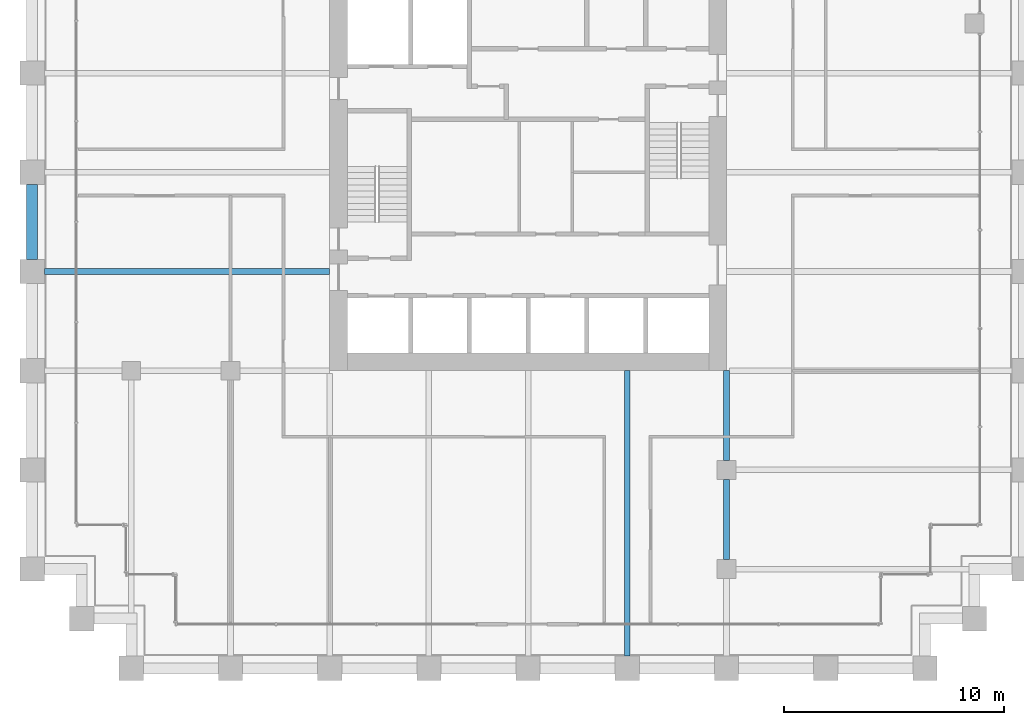
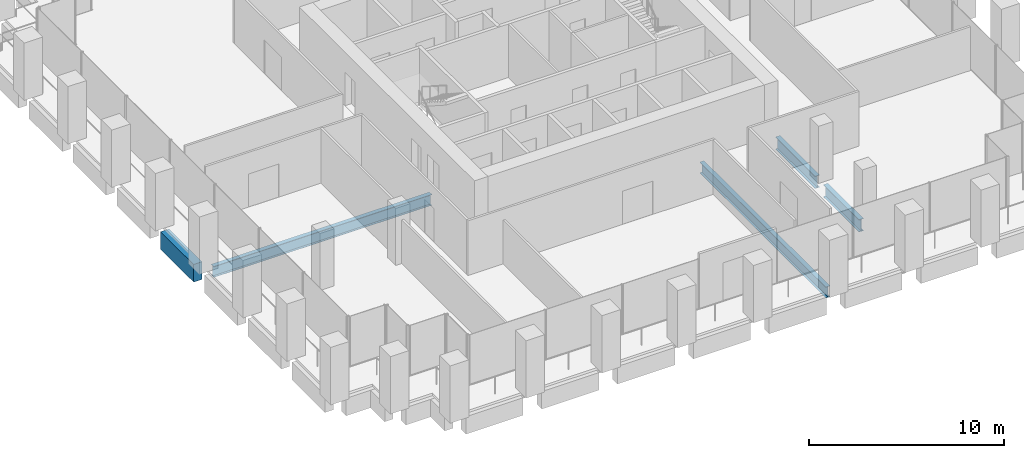
# One storey, part 10 of 54: 5 beams.
"""IFC4 building model written with IfcOpenShell, lengths in metres."""

from ifc_helpers import new_model, si_unit, direction, frame, origin, origin_2d, place, context, subcontext, project, spatial, rectangle, i_section, extrude, material, material_profile, profile_set, type_object, element, save


model = new_model("IFC4")

# Units and contexts
model_context = context("Model", 3, precision=1e-05, world=origin(), true_north=direction((0.0, 1.0)))
body_context = subcontext(model_context, "Body", "Model", "MODEL_VIEW")
ifc_project = project(units=[si_unit("LENGTHUNIT", "METRE"), si_unit("AREAUNIT", "SQUARE_METRE"), si_unit("VOLUMEUNIT", "CUBIC_METRE"), si_unit("PLANEANGLEUNIT", "RADIAN"), si_unit("MASSUNIT", "GRAM", prefix="KILO")], contexts=[model_context])

# Site, building, storey
site_placement = place(None, origin())
site = spatial("IfcSite", under=ifc_project, at=site_placement, CompositionType="ELEMENT")
building_placement = place(site_placement, origin())
building = spatial("IfcBuilding", under=site, at=building_placement, Name="Altepetl Exchange Towers", CompositionType="ELEMENT")
storey_placement = place(building_placement, frame((0.0, 0.0, 65.39990234375)))
storey = spatial("IfcBuildingStorey", under=building, at=storey_placement, Name="L15", CompositionType="ELEMENT", Elevation=65.39990234375)

# Beams
ifc_material_1 = material(Name="Steel S355", Category="steel")
ifc_material_profile_1 = material_profile(ifc_material_1, i_section(OverallWidth=0.25390625, OverallDepth=0.68408203125, WebThickness=0.012451171875, FlangeThickness=0.018798828125, at=origin_2d()), Name="W27X94")
ifc_profile_set_1 = profile_set([ifc_material_profile_1], Name="Steel S355")
beam_type_1 = type_object("IfcBeamType", Name="Floor beam W27X94", PredefinedType="BEAM", material=ifc_profile_set_1)
for number, where, z_axis, x_axis, name in (
    (1, (54.0, 27.550048828125, -0.491943359375), (0.0, 1.0, 0.0), (-1.0, 0.0, 0.0), "bm:A:L15:017"),
    (2, (27.550048828125, 45.0, -0.491943359375), (1.0, 0.0, 0.0), (0.0, 1.0, 0.0), "bm:A:L15:018"),
):
    element("IfcBeam", number, at=place(storey_placement, frame(where, z_axis=z_axis, x_axis=x_axis)), inside=storey, type_object=beam_type_1, Name=name, PredefinedType="BEAM", context=body_context, shape_type="SweptSolid", body=[
        extrude(i_section(OverallWidth=0.25390625, OverallDepth=0.68408203125, WebThickness=0.012451171875, FlangeThickness=0.018798828125, at=origin_2d()), origin(), (0.0, 0.0, 1.0), 12.949951171875),
    ])
ifc_material_profile_2 = material_profile(ifc_material_1, i_section(OverallWidth=0.26806640625, OverallDepth=0.77392578125, WebThickness=0.015380859375, FlangeThickness=0.025390625, at=origin_2d()), Name="W30X132")
ifc_profile_set_2 = profile_set([ifc_material_profile_2], Name="Steel S355")
beam_type_2 = type_object("IfcBeamType", Name="Girder W30X132", PredefinedType="BEAM", material=ifc_profile_set_2)
beam_1_placement = place(storey_placement, frame((58.5, 40.5, -0.536865234375), z_axis=(0.0, -1.0, 0.0), x_axis=(1.0, 0.0, 0.0)))
element("IfcBeam", 3, at=beam_1_placement, inside=storey, type_object=beam_type_2, Name="gd:A:L15:006", PredefinedType="BEAM", context=body_context, shape_type="SweptSolid", body=[
    extrude(i_section(OverallWidth=0.26806640625, OverallDepth=0.77392578125, WebThickness=0.015380859375, FlangeThickness=0.025390625, at=origin_2d()), origin(), (0.0, 0.0, 1.0), 4.074951171875),
])
beam_2_placement = place(storey_placement, frame((58.5, 35.574951171875, -0.536865234375), z_axis=(0.0, -1.0, 0.0), x_axis=(1.0, 0.0, 0.0)))
element("IfcBeam", 4, at=beam_2_placement, inside=storey, type_object=beam_type_2, Name="gd:A:L15:007", PredefinedType="BEAM", context=body_context, shape_type="SweptSolid", body=[
    extrude(i_section(OverallWidth=0.26806640625, OverallDepth=0.77392578125, WebThickness=0.015380859375, FlangeThickness=0.025390625, at=origin_2d()), origin(), (0.0, 0.0, 1.0), 3.64990234375),
])
ifc_material_2 = material(Name="Concrete C50/60 precast with tezontle facing", Category="concrete")
ifc_material_profile_3 = material_profile(ifc_material_2, rectangle(XDim=0.5, YDim=1.10009765625, at=origin_2d()), Name="500 x 1100")
ifc_profile_set_3 = profile_set([ifc_material_profile_3], Name="Concrete C50/60 precast with tezontle facing")
beam_type_3 = type_object("IfcBeamType", Name="Spandrel beam 500x1100 tezontle", PredefinedType="SPANDREL", material=ifc_profile_set_3)
beam_3_placement = place(storey_placement, frame((27.0, 48.949951171875, -0.699951171875), z_axis=(0.0, -1.0, 0.0), x_axis=(1.0, 0.0, 0.0)))
element("IfcBeam", 5, at=beam_3_placement, inside=storey, type_object=beam_type_3, Name="sp:A:L15:040", PredefinedType="SPANDREL", context=body_context, shape_type="SweptSolid", body=[
    extrude(rectangle(XDim=0.5, YDim=1.10009765625, at=origin_2d()), origin(), (0.0, 0.0, 1.0), 3.39990234375),
])

save(model, "model.ifc")
